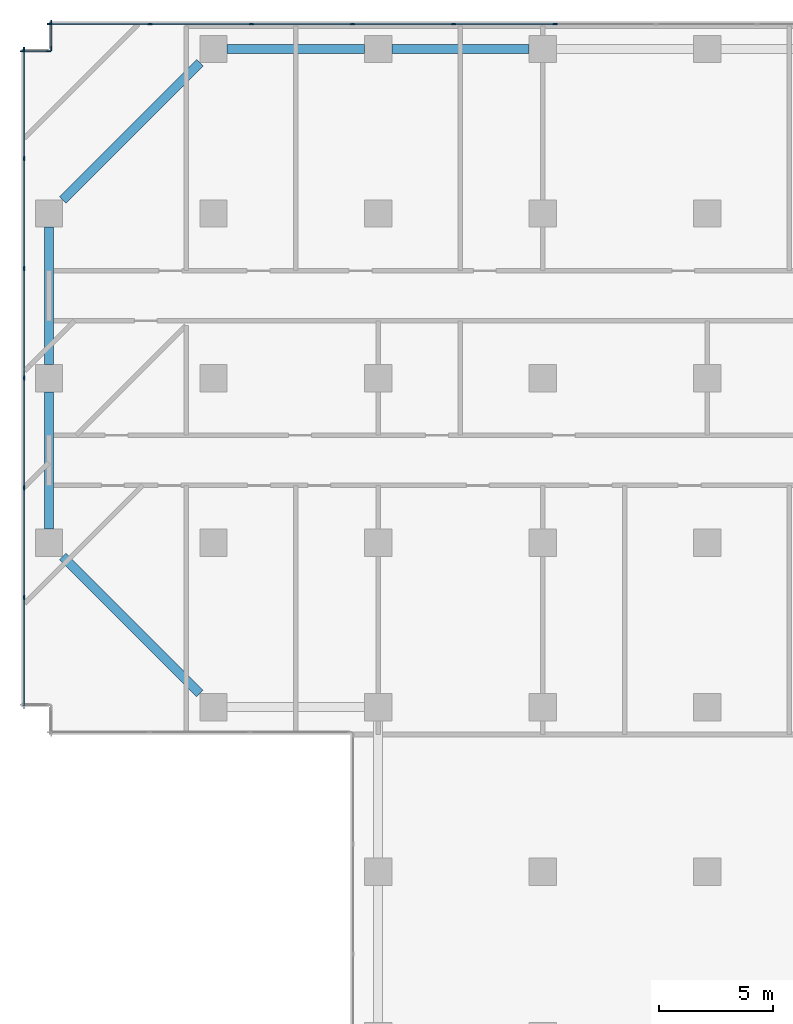
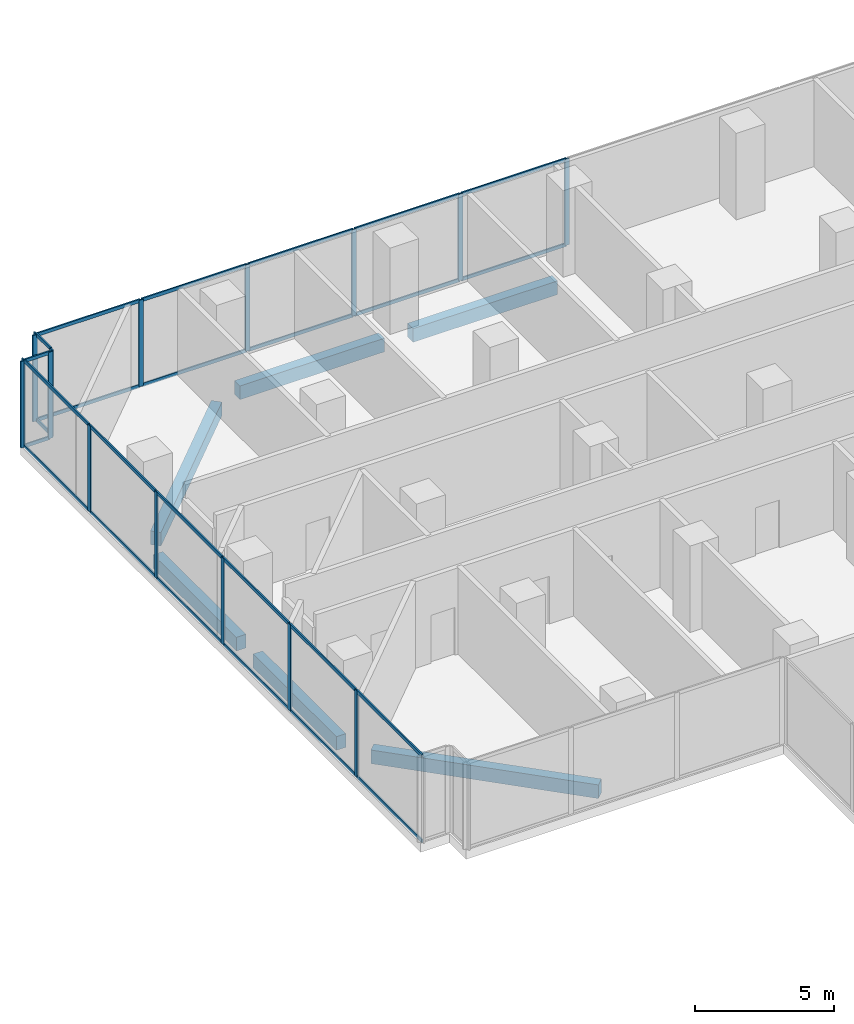
# One storey, part 5 of 27: 42 members, 6 beams, 4 elements without a shape of their own.
"""IFC4 building model written with IfcOpenShell, lengths in metres."""

from ifc_helpers import new_model, si_unit, direction, frame, origin, origin_2d, place, context, subcontext, project, spatial, rectangle, extrude, material, material_profile, profile_set, type_object, element, aggregate, save


model = new_model("IFC4")

# Units and contexts
model_context = context("Model", 3, precision=1e-05, world=origin(), true_north=direction((0.0, 1.0)))
body_context = subcontext(model_context, "Body", "Model", "MODEL_VIEW")
ifc_project = project(units=[si_unit("LENGTHUNIT", "METRE"), si_unit("AREAUNIT", "SQUARE_METRE"), si_unit("VOLUMEUNIT", "CUBIC_METRE"), si_unit("PLANEANGLEUNIT", "RADIAN"), si_unit("MASSUNIT", "GRAM", prefix="KILO")], contexts=[model_context])

# Site, building, storey
site_placement = place(None, origin())
site = spatial("IfcSite", under=ifc_project, at=site_placement, CompositionType="ELEMENT")
building_placement = place(site_placement, origin())
building = spatial("IfcBuilding", under=site, at=building_placement, Name="Windrow Commons", CompositionType="ELEMENT")
storey_placement = place(building_placement, frame((0.0, 0.0, 6.0)))
storey = spatial("IfcBuildingStorey", under=building, at=storey_placement, Name="L01", CompositionType="ELEMENT", Elevation=6.0)

# Curtain wall, members
ifc_material_1 = material(Name="Clear laminated glass in Aluminium 6063-T6 anodised frame", Category="aluminium")
curtain_wall_type = type_object("IfcCurtainWallType", Name="Curtain wall CW1 podium study hall", PredefinedType="USERDEFINED", material=ifc_material_1)
placement = place(storey_placement, origin())
curtain_wall_1 = element("IfcCurtainWall", 1, at=placement, inside=storey, type_object=curtain_wall_type, Name="Curtain wall CW1 L01 5", ObjectType="STICK", PredefinedType="USERDEFINED")
ifc_material_2 = material(Name="Aluminium 6063-T6", Category="aluminium")
ifc_material_profile_1 = material_profile(ifc_material_2, rectangle(XDim=0.06, YDim=0.2, at=origin_2d()))
ifc_profile_set_1 = profile_set([ifc_material_profile_1], Name="Aluminium 6063-T6")
member_type_1 = type_object("IfcMemberType", Name="CW1 mullion 60x200", PredefinedType="MULLION", material=ifc_profile_set_1)
member_1_placement = place(storey_placement, frame((22.1381, 73.1, 0.0), z_axis=(0.0, 0.0, 1.0), x_axis=(0.0, -1.0, 0.0)))
member_1 = element("IfcMember", 2, at=member_1_placement, type_object=member_type_1, Name="CW1 mullion 14", PredefinedType="MULLION", context=body_context, shape_type="SweptSolid", body=[
    extrude(rectangle(XDim=0.06, YDim=0.2, at=origin_2d()), origin(), (0.0, 0.0, 1.0), 3.8),
])
member_2_placement = place(storey_placement, frame((17.7105, 73.1, 0.0), z_axis=(0.0, 0.0, 1.0), x_axis=(0.0, -1.0, 0.0)))
member_2 = element("IfcMember", 3, at=member_2_placement, type_object=member_type_1, Name="CW1 mullion 15", PredefinedType="MULLION", context=body_context, shape_type="SweptSolid", body=[
    extrude(rectangle(XDim=0.06, YDim=0.2, at=origin_2d()), origin(), (0.0, 0.0, 1.0), 3.8),
])
member_3_placement = place(storey_placement, frame((13.2828, 73.1, 0.0), z_axis=(0.0, 0.0, 1.0), x_axis=(0.0, -1.0, 0.0)))
member_3 = element("IfcMember", 4, at=member_3_placement, type_object=member_type_1, Name="CW1 mullion 16", PredefinedType="MULLION", context=body_context, shape_type="SweptSolid", body=[
    extrude(rectangle(XDim=0.06, YDim=0.2, at=origin_2d()), origin(), (0.0, 0.0, 1.0), 3.8),
])
member_4_placement = place(storey_placement, frame((8.8552, 73.1, 0.0), z_axis=(0.0, 0.0, 1.0), x_axis=(0.0, -1.0, 0.0)))
member_4 = element("IfcMember", 5, at=member_4_placement, type_object=member_type_1, Name="CW1 mullion 17", PredefinedType="MULLION", context=body_context, shape_type="SweptSolid", body=[
    extrude(rectangle(XDim=0.06, YDim=0.2, at=origin_2d()), origin(), (0.0, 0.0, 1.0), 3.8),
])
member_5_placement = place(storey_placement, frame((4.4276, 73.1, 0.0), z_axis=(0.0, 0.0, 1.0), x_axis=(0.0, -1.0, 0.0)))
member_5 = element("IfcMember", 6, at=member_5_placement, type_object=member_type_1, Name="CW1 mullion 18", PredefinedType="MULLION", context=body_context, shape_type="SweptSolid", body=[
    extrude(rectangle(XDim=0.06, YDim=0.2, at=origin_2d()), origin(), (0.0, 0.0, 1.0), 3.8),
])
member_6_placement = place(storey_placement, frame((0.03, 73.1, 0.0), z_axis=(0.0, 0.0, 1.0), x_axis=(0.0, -1.0, 0.0)))
member_6 = element("IfcMember", 7, at=member_6_placement, type_object=member_type_1, Name="CW1 mullion 19", PredefinedType="MULLION", context=body_context, shape_type="SweptSolid", body=[
    extrude(rectangle(XDim=0.06, YDim=0.2, at=origin_2d()), origin(), (0.0, 0.0, 1.0), 3.8),
])

curtain_wall_2 = element("IfcCurtainWall", 8, at=placement, inside=storey, type_object=curtain_wall_type, Name="Curtain wall CW1 L01 6", ObjectType="STICK", PredefinedType="USERDEFINED")
member_7_placement = place(storey_placement, frame((0.1, 73.17, 0.0), z_axis=(0.0, 0.0, 1.0), x_axis=(1.0, 0.0, 0.0)))
member_7 = element("IfcMember", 9, at=member_7_placement, type_object=member_type_1, Name="CW1 mullion 1", PredefinedType="MULLION", context=body_context, shape_type="SweptSolid", body=[
    extrude(rectangle(XDim=0.06, YDim=0.2, at=origin_2d()), origin(), (0.0, 0.0, 1.0), 3.8),
])
member_8_placement = place(storey_placement, frame((0.1, 72.03, 0.0), z_axis=(0.0, 0.0, 1.0), x_axis=(1.0, 0.0, 0.0)))
member_8 = element("IfcMember", 10, at=member_8_placement, type_object=member_type_1, Name="CW1 mullion 2", PredefinedType="MULLION", context=body_context, shape_type="SweptSolid", body=[
    extrude(rectangle(XDim=0.06, YDim=0.2, at=origin_2d()), origin(), (0.0, 0.0, 1.0), 3.8),
])

curtain_wall_3 = element("IfcCurtainWall", 11, at=placement, inside=storey, type_object=curtain_wall_type, Name="Curtain wall CW1 L01 7", ObjectType="STICK", PredefinedType="USERDEFINED")
member_9_placement = place(storey_placement, frame((-0.03, 71.9, 0.0), z_axis=(0.0, 0.0, 1.0), x_axis=(0.0, -1.0, 0.0)))
member_9 = element("IfcMember", 12, at=member_9_placement, type_object=member_type_1, Name="CW1 mullion 1", PredefinedType="MULLION", context=body_context, shape_type="SweptSolid", body=[
    extrude(rectangle(XDim=0.06, YDim=0.2, at=origin_2d()), origin(), (0.0, 0.0, 1.0), 3.8),
])
member_10_placement = place(storey_placement, frame((-1.17, 71.9, 0.0), z_axis=(0.0, 0.0, 1.0), x_axis=(0.0, -1.0, 0.0)))
member_10 = element("IfcMember", 13, at=member_10_placement, type_object=member_type_1, Name="CW1 mullion 2", PredefinedType="MULLION", context=body_context, shape_type="SweptSolid", body=[
    extrude(rectangle(XDim=0.06, YDim=0.2, at=origin_2d()), origin(), (0.0, 0.0, 1.0), 3.8),
])

curtain_wall_4 = element("IfcCurtainWall", 14, at=placement, inside=storey, type_object=curtain_wall_type, Name="Curtain wall CW1 L01 8", ObjectType="STICK", PredefinedType="USERDEFINED")
member_11_placement = place(storey_placement, frame((-1.1, 71.97, 0.0), z_axis=(0.0, 0.0, 1.0), x_axis=(1.0, 0.0, 0.0)))
member_11 = element("IfcMember", 15, at=member_11_placement, type_object=member_type_1, Name="CW1 mullion 1", PredefinedType="MULLION", context=body_context, shape_type="SweptSolid", body=[
    extrude(rectangle(XDim=0.06, YDim=0.2, at=origin_2d()), origin(), (0.0, 0.0, 1.0), 3.8),
])
member_12_placement = place(storey_placement, frame((-1.1, 67.2, 0.0), z_axis=(0.0, 0.0, 1.0), x_axis=(1.0, 0.0, 0.0)))
member_12 = element("IfcMember", 16, at=member_12_placement, type_object=member_type_1, Name="CW1 mullion 2", PredefinedType="MULLION", context=body_context, shape_type="SweptSolid", body=[
    extrude(rectangle(XDim=0.06, YDim=0.2, at=origin_2d()), origin(), (0.0, 0.0, 1.0), 3.8),
])
member_13_placement = place(storey_placement, frame((-1.1, 62.4, 0.0), z_axis=(0.0, 0.0, 1.0), x_axis=(1.0, 0.0, 0.0)))
member_13 = element("IfcMember", 17, at=member_13_placement, type_object=member_type_1, Name="CW1 mullion 3", PredefinedType="MULLION", context=body_context, shape_type="SweptSolid", body=[
    extrude(rectangle(XDim=0.06, YDim=0.2, at=origin_2d()), origin(), (0.0, 0.0, 1.0), 3.8),
])
member_14_placement = place(storey_placement, frame((-1.1, 57.6, 0.0), z_axis=(0.0, 0.0, 1.0), x_axis=(1.0, 0.0, 0.0)))
member_14 = element("IfcMember", 18, at=member_14_placement, type_object=member_type_1, Name="CW1 mullion 4", PredefinedType="MULLION", context=body_context, shape_type="SweptSolid", body=[
    extrude(rectangle(XDim=0.06, YDim=0.2, at=origin_2d()), origin(), (0.0, 0.0, 1.0), 3.8),
])
member_15_placement = place(storey_placement, frame((-1.1, 52.8, 0.0), z_axis=(0.0, 0.0, 1.0), x_axis=(1.0, 0.0, 0.0)))
member_15 = element("IfcMember", 19, at=member_15_placement, type_object=member_type_1, Name="CW1 mullion 5", PredefinedType="MULLION", context=body_context, shape_type="SweptSolid", body=[
    extrude(rectangle(XDim=0.06, YDim=0.2, at=origin_2d()), origin(), (0.0, 0.0, 1.0), 3.8),
])
member_16_placement = place(storey_placement, frame((-1.1, 48.0, 0.0), z_axis=(0.0, 0.0, 1.0), x_axis=(1.0, 0.0, 0.0)))
member_16 = element("IfcMember", 20, at=member_16_placement, type_object=member_type_1, Name="CW1 mullion 6", PredefinedType="MULLION", context=body_context, shape_type="SweptSolid", body=[
    extrude(rectangle(XDim=0.06, YDim=0.2, at=origin_2d()), origin(), (0.0, 0.0, 1.0), 3.8),
])

# Member
ifc_material_3 = material(Name="Aluminium 6063-T6", Category="aluminium")
ifc_material_profile_2 = material_profile(ifc_material_3, rectangle(XDim=0.06, YDim=0.15, at=origin_2d()))
ifc_profile_set_2 = profile_set([ifc_material_profile_2], Name="Aluminium 6063-T6")
member_type_2 = type_object("IfcMemberType", Name="CW1 transom 60x150", PredefinedType="USERDEFINED", material=ifc_profile_set_2)
member_17_placement = place(storey_placement, frame((22.1081, 73.1, 0.03), z_axis=(-1.0, 0.0, 0.0), x_axis=(0.0, -1.0, 0.0)))
member_17 = element("IfcMember", 21, at=member_17_placement, type_object=member_type_2, Name="CW1 transom 14.1", ObjectType="TRANSOM", PredefinedType="USERDEFINED", context=body_context, shape_type="SweptSolid", body=[
    extrude(rectangle(XDim=0.06, YDim=0.15, at=origin_2d()), origin(), (0.0, 0.0, 1.0), 4.3676),
])

member_18_placement = place(storey_placement, frame((22.1081, 73.1, 3.77), z_axis=(-1.0, 0.0, 0.0), x_axis=(0.0, -1.0, 0.0)))
member_18 = element("IfcMember", 22, at=member_18_placement, type_object=member_type_2, Name="CW1 transom 14.2", ObjectType="TRANSOM", PredefinedType="USERDEFINED", context=body_context, shape_type="SweptSolid", body=[
    extrude(rectangle(XDim=0.06, YDim=0.15, at=origin_2d()), origin(), (0.0, 0.0, 1.0), 4.3676),
])

member_19_placement = place(storey_placement, frame((17.6805, 73.1, 0.03), z_axis=(-1.0, 0.0, 0.0), x_axis=(0.0, -1.0, 0.0)))
member_19 = element("IfcMember", 23, at=member_19_placement, type_object=member_type_2, Name="CW1 transom 15.1", ObjectType="TRANSOM", PredefinedType="USERDEFINED", context=body_context, shape_type="SweptSolid", body=[
    extrude(rectangle(XDim=0.06, YDim=0.15, at=origin_2d()), origin(), (0.0, 0.0, 1.0), 4.3677),
])

member_20_placement = place(storey_placement, frame((17.6805, 73.1, 3.77), z_axis=(-1.0, 0.0, 0.0), x_axis=(0.0, -1.0, 0.0)))
member_20 = element("IfcMember", 24, at=member_20_placement, type_object=member_type_2, Name="CW1 transom 15.2", ObjectType="TRANSOM", PredefinedType="USERDEFINED", context=body_context, shape_type="SweptSolid", body=[
    extrude(rectangle(XDim=0.06, YDim=0.15, at=origin_2d()), origin(), (0.0, 0.0, 1.0), 4.3677),
])

member_21_placement = place(storey_placement, frame((13.2529, 73.1, 0.03), z_axis=(-1.0, 0.0, 0.0), x_axis=(0.0, -1.0, 0.0)))
member_21 = element("IfcMember", 25, at=member_21_placement, type_object=member_type_2, Name="CW1 transom 16.1", ObjectType="TRANSOM", PredefinedType="USERDEFINED", context=body_context, shape_type="SweptSolid", body=[
    extrude(rectangle(XDim=0.06, YDim=0.15, at=origin_2d()), origin(), (0.0, 0.0, 1.0), 4.3677),
])

member_22_placement = place(storey_placement, frame((13.2529, 73.1, 3.77), z_axis=(-1.0, 0.0, 0.0), x_axis=(0.0, -1.0, 0.0)))
member_22 = element("IfcMember", 26, at=member_22_placement, type_object=member_type_2, Name="CW1 transom 16.2", ObjectType="TRANSOM", PredefinedType="USERDEFINED", context=body_context, shape_type="SweptSolid", body=[
    extrude(rectangle(XDim=0.06, YDim=0.15, at=origin_2d()), origin(), (0.0, 0.0, 1.0), 4.3677),
])

member_23_placement = place(storey_placement, frame((8.8252, 73.1, 0.03), z_axis=(-1.0, 0.0, 0.0), x_axis=(0.0, -1.0, 0.0)))
member_23 = element("IfcMember", 27, at=member_23_placement, type_object=member_type_2, Name="CW1 transom 17.1", ObjectType="TRANSOM", PredefinedType="USERDEFINED", context=body_context, shape_type="SweptSolid", body=[
    extrude(rectangle(XDim=0.06, YDim=0.15, at=origin_2d()), origin(), (0.0, 0.0, 1.0), 4.3676),
])

member_24_placement = place(storey_placement, frame((8.8252, 73.1, 3.77), z_axis=(-1.0, 0.0, 0.0), x_axis=(0.0, -1.0, 0.0)))
member_24 = element("IfcMember", 28, at=member_24_placement, type_object=member_type_2, Name="CW1 transom 17.2", ObjectType="TRANSOM", PredefinedType="USERDEFINED", context=body_context, shape_type="SweptSolid", body=[
    extrude(rectangle(XDim=0.06, YDim=0.15, at=origin_2d()), origin(), (0.0, 0.0, 1.0), 4.3676),
])

member_25_placement = place(storey_placement, frame((4.3976, 73.1, 0.03), z_axis=(-1.0, 0.0, 0.0), x_axis=(0.0, -1.0, 0.0)))
member_25 = element("IfcMember", 29, at=member_25_placement, type_object=member_type_2, Name="CW1 transom 18.1", ObjectType="TRANSOM", PredefinedType="USERDEFINED", context=body_context, shape_type="SweptSolid", body=[
    extrude(rectangle(XDim=0.06, YDim=0.15, at=origin_2d()), origin(), (0.0, 0.0, 1.0), 4.3376),
])

member_26_placement = place(storey_placement, frame((4.3976, 73.1, 3.77), z_axis=(-1.0, 0.0, 0.0), x_axis=(0.0, -1.0, 0.0)))
member_26 = element("IfcMember", 30, at=member_26_placement, type_object=member_type_2, Name="CW1 transom 18.2", ObjectType="TRANSOM", PredefinedType="USERDEFINED", context=body_context, shape_type="SweptSolid", body=[
    extrude(rectangle(XDim=0.06, YDim=0.15, at=origin_2d()), origin(), (0.0, 0.0, 1.0), 4.3376),
])

aggregate(curtain_wall_1, [member_1, member_2, member_3, member_4, member_5, member_6, member_17, member_18, member_19, member_20, member_21, member_22, member_23, member_24, member_25, member_26])

member_27_placement = place(storey_placement, frame((0.1, 73.14, 0.03), z_axis=(0.0, -1.0, 0.0), x_axis=(1.0, 0.0, 0.0)))
member_27 = element("IfcMember", 31, at=member_27_placement, type_object=member_type_2, Name="CW1 transom 1.1", ObjectType="TRANSOM", PredefinedType="USERDEFINED", context=body_context, shape_type="SweptSolid", body=[
    extrude(rectangle(XDim=0.06, YDim=0.15, at=origin_2d()), origin(), (0.0, 0.0, 1.0), 1.08),
])

member_28_placement = place(storey_placement, frame((0.1, 73.14, 3.77), z_axis=(0.0, -1.0, 0.0), x_axis=(1.0, 0.0, 0.0)))
member_28 = element("IfcMember", 32, at=member_28_placement, type_object=member_type_2, Name="CW1 transom 1.2", ObjectType="TRANSOM", PredefinedType="USERDEFINED", context=body_context, shape_type="SweptSolid", body=[
    extrude(rectangle(XDim=0.06, YDim=0.15, at=origin_2d()), origin(), (0.0, 0.0, 1.0), 1.08),
])

aggregate(curtain_wall_2, [member_7, member_8, member_27, member_28])

member_29_placement = place(storey_placement, frame((-0.06, 71.9, 0.03), z_axis=(-1.0, 0.0, 0.0), x_axis=(0.0, -1.0, 0.0)))
member_29 = element("IfcMember", 33, at=member_29_placement, type_object=member_type_2, Name="CW1 transom 1.1", ObjectType="TRANSOM", PredefinedType="USERDEFINED", context=body_context, shape_type="SweptSolid", body=[
    extrude(rectangle(XDim=0.06, YDim=0.15, at=origin_2d()), origin(), (0.0, 0.0, 1.0), 1.08),
])

member_30_placement = place(storey_placement, frame((-0.06, 71.9, 3.77), z_axis=(-1.0, 0.0, 0.0), x_axis=(0.0, -1.0, 0.0)))
member_30 = element("IfcMember", 34, at=member_30_placement, type_object=member_type_2, Name="CW1 transom 1.2", ObjectType="TRANSOM", PredefinedType="USERDEFINED", context=body_context, shape_type="SweptSolid", body=[
    extrude(rectangle(XDim=0.06, YDim=0.15, at=origin_2d()), origin(), (0.0, 0.0, 1.0), 1.08),
])

aggregate(curtain_wall_3, [member_9, member_10, member_29, member_30])

member_31_placement = place(storey_placement, frame((-1.1, 71.94, 0.03), z_axis=(0.0, -1.0, 0.0), x_axis=(1.0, 0.0, 0.0)))
member_31 = element("IfcMember", 35, at=member_31_placement, type_object=member_type_2, Name="CW1 transom 1.1", ObjectType="TRANSOM", PredefinedType="USERDEFINED", context=body_context, shape_type="SweptSolid", body=[
    extrude(rectangle(XDim=0.06, YDim=0.15, at=origin_2d()), origin(), (0.0, 0.0, 1.0), 4.71),
])

member_32_placement = place(storey_placement, frame((-1.1, 71.94, 3.77), z_axis=(0.0, -1.0, 0.0), x_axis=(1.0, 0.0, 0.0)))
member_32 = element("IfcMember", 36, at=member_32_placement, type_object=member_type_2, Name="CW1 transom 1.2", ObjectType="TRANSOM", PredefinedType="USERDEFINED", context=body_context, shape_type="SweptSolid", body=[
    extrude(rectangle(XDim=0.06, YDim=0.15, at=origin_2d()), origin(), (0.0, 0.0, 1.0), 4.71),
])

member_33_placement = place(storey_placement, frame((-1.1, 67.17, 0.03), z_axis=(0.0, -1.0, 0.0), x_axis=(1.0, 0.0, 0.0)))
member_33 = element("IfcMember", 37, at=member_33_placement, type_object=member_type_2, Name="CW1 transom 2.1", ObjectType="TRANSOM", PredefinedType="USERDEFINED", context=body_context, shape_type="SweptSolid", body=[
    extrude(rectangle(XDim=0.06, YDim=0.15, at=origin_2d()), origin(), (0.0, 0.0, 1.0), 4.74),
])

member_34_placement = place(storey_placement, frame((-1.1, 67.17, 3.77), z_axis=(0.0, -1.0, 0.0), x_axis=(1.0, 0.0, 0.0)))
member_34 = element("IfcMember", 38, at=member_34_placement, type_object=member_type_2, Name="CW1 transom 2.2", ObjectType="TRANSOM", PredefinedType="USERDEFINED", context=body_context, shape_type="SweptSolid", body=[
    extrude(rectangle(XDim=0.06, YDim=0.15, at=origin_2d()), origin(), (0.0, 0.0, 1.0), 4.74),
])

member_35_placement = place(storey_placement, frame((-1.1, 62.37, 0.03), z_axis=(0.0, -1.0, 0.0), x_axis=(1.0, 0.0, 0.0)))
member_35 = element("IfcMember", 39, at=member_35_placement, type_object=member_type_2, Name="CW1 transom 3.1", ObjectType="TRANSOM", PredefinedType="USERDEFINED", context=body_context, shape_type="SweptSolid", body=[
    extrude(rectangle(XDim=0.06, YDim=0.15, at=origin_2d()), origin(), (0.0, 0.0, 1.0), 4.74),
])

member_36_placement = place(storey_placement, frame((-1.1, 62.37, 3.77), z_axis=(0.0, -1.0, 0.0), x_axis=(1.0, 0.0, 0.0)))
member_36 = element("IfcMember", 40, at=member_36_placement, type_object=member_type_2, Name="CW1 transom 3.2", ObjectType="TRANSOM", PredefinedType="USERDEFINED", context=body_context, shape_type="SweptSolid", body=[
    extrude(rectangle(XDim=0.06, YDim=0.15, at=origin_2d()), origin(), (0.0, 0.0, 1.0), 4.74),
])

member_37_placement = place(storey_placement, frame((-1.1, 57.57, 0.03), z_axis=(0.0, -1.0, 0.0), x_axis=(1.0, 0.0, 0.0)))
member_37 = element("IfcMember", 41, at=member_37_placement, type_object=member_type_2, Name="CW1 transom 4.1", ObjectType="TRANSOM", PredefinedType="USERDEFINED", context=body_context, shape_type="SweptSolid", body=[
    extrude(rectangle(XDim=0.06, YDim=0.15, at=origin_2d()), origin(), (0.0, 0.0, 1.0), 4.74),
])

member_38_placement = place(storey_placement, frame((-1.1, 57.57, 3.77), z_axis=(0.0, -1.0, 0.0), x_axis=(1.0, 0.0, 0.0)))
member_38 = element("IfcMember", 42, at=member_38_placement, type_object=member_type_2, Name="CW1 transom 4.2", ObjectType="TRANSOM", PredefinedType="USERDEFINED", context=body_context, shape_type="SweptSolid", body=[
    extrude(rectangle(XDim=0.06, YDim=0.15, at=origin_2d()), origin(), (0.0, 0.0, 1.0), 4.74),
])

member_39_placement = place(storey_placement, frame((-1.1, 52.77, 0.03), z_axis=(0.0, -1.0, 0.0), x_axis=(1.0, 0.0, 0.0)))
member_39 = element("IfcMember", 43, at=member_39_placement, type_object=member_type_2, Name="CW1 transom 5.1", ObjectType="TRANSOM", PredefinedType="USERDEFINED", context=body_context, shape_type="SweptSolid", body=[
    extrude(rectangle(XDim=0.06, YDim=0.15, at=origin_2d()), origin(), (0.0, 0.0, 1.0), 4.74),
])

member_40_placement = place(storey_placement, frame((-1.1, 52.77, 3.77), z_axis=(0.0, -1.0, 0.0), x_axis=(1.0, 0.0, 0.0)))
member_40 = element("IfcMember", 44, at=member_40_placement, type_object=member_type_2, Name="CW1 transom 5.2", ObjectType="TRANSOM", PredefinedType="USERDEFINED", context=body_context, shape_type="SweptSolid", body=[
    extrude(rectangle(XDim=0.06, YDim=0.15, at=origin_2d()), origin(), (0.0, 0.0, 1.0), 4.74),
])

member_41_placement = place(storey_placement, frame((-1.1, 47.97, 0.03), z_axis=(0.0, -1.0, 0.0), x_axis=(1.0, 0.0, 0.0)))
member_41 = element("IfcMember", 45, at=member_41_placement, type_object=member_type_2, Name="CW1 transom 6.1", ObjectType="TRANSOM", PredefinedType="USERDEFINED", context=body_context, shape_type="SweptSolid", body=[
    extrude(rectangle(XDim=0.06, YDim=0.15, at=origin_2d()), origin(), (0.0, 0.0, 1.0), 4.71),
])

member_42_placement = place(storey_placement, frame((-1.1, 47.97, 3.77), z_axis=(0.0, -1.0, 0.0), x_axis=(1.0, 0.0, 0.0)))
member_42 = element("IfcMember", 46, at=member_42_placement, type_object=member_type_2, Name="CW1 transom 6.2", ObjectType="TRANSOM", PredefinedType="USERDEFINED", context=body_context, shape_type="SweptSolid", body=[
    extrude(rectangle(XDim=0.06, YDim=0.15, at=origin_2d()), origin(), (0.0, 0.0, 1.0), 4.71),
])

aggregate(curtain_wall_4, [member_11, member_12, member_13, member_14, member_15, member_16, member_31, member_32, member_33, member_34, member_35, member_36, member_37, member_38, member_39, member_40, member_41, member_42])

# Beams
ifc_material_4 = material(Name="Concrete C60/75", Category="concrete")
ifc_material_profile_3 = material_profile(ifc_material_4, rectangle(XDim=0.4, YDim=0.6, at=origin_2d()))
ifc_profile_set_3 = profile_set([ifc_material_profile_3], Name="Concrete C60/75")
beam_type = type_object("IfcBeamType", Name="RC EDGE BEAM 400x600 C60/75", PredefinedType="SPANDREL", material=ifc_profile_set_3)
beam_1_placement = place(storey_placement, frame((6.6, 43.8, -0.7), z_axis=(-0.7071067812, 0.7071067812, 0.0), x_axis=(-0.7071067812, -0.7071067812, 0.0)))
element("IfcBeam", 47, at=beam_1_placement, inside=storey, type_object=beam_type, Name="Edge beam L01 003", PredefinedType="SPANDREL", context=body_context, shape_type="SweptSolid", body=[
    extrude(rectangle(XDim=0.4, YDim=0.6, at=origin_2d()), origin(), (0.0, 0.0, 1.0), 8.4853),
])
for number, where, z_axis, x_axis, name in (
    (48, (0.0, 51.0, -0.7), (0.0, 1.0, 0.0), (-1.0, 0.0, 0.0), "Edge beam L01 004"),
    (49, (0.0, 58.2, -0.7), (0.0, 1.0, 0.0), (-1.0, 0.0, 0.0), "Edge beam L01 005"),
):
    element("IfcBeam", number, at=place(storey_placement, frame(where, z_axis=z_axis, x_axis=x_axis)), inside=storey, type_object=beam_type, Name=name, PredefinedType="SPANDREL", context=body_context, shape_type="SweptSolid", body=[
        extrude(rectangle(XDim=0.4, YDim=0.6, at=origin_2d()), origin(), (0.0, 0.0, 1.0), 6.0),
    ])
beam_2_placement = place(storey_placement, frame((0.6, 65.4, -0.7), z_axis=(0.7071067812, 0.7071067812, 0.0), x_axis=(-0.7071067812, 0.7071067812, 0.0)))
element("IfcBeam", 50, at=beam_2_placement, inside=storey, type_object=beam_type, Name="Edge beam L01 006", PredefinedType="SPANDREL", context=body_context, shape_type="SweptSolid", body=[
    extrude(rectangle(XDim=0.4, YDim=0.6, at=origin_2d()), origin(), (0.0, 0.0, 1.0), 8.4853),
])
for number, where, z_axis, x_axis, name in (
    (51, (7.8, 72.0, -0.7), (1.0, 0.0, 0.0), (0.0, 1.0, 0.0), "Edge beam L01 007"),
    (52, (15.0, 72.0, -0.7), (1.0, 0.0, 0.0), (0.0, 1.0, 0.0), "Edge beam L01 008"),
):
    element("IfcBeam", number, at=place(storey_placement, frame(where, z_axis=z_axis, x_axis=x_axis)), inside=storey, type_object=beam_type, Name=name, PredefinedType="SPANDREL", context=body_context, shape_type="SweptSolid", body=[
        extrude(rectangle(XDim=0.4, YDim=0.6, at=origin_2d()), origin(), (0.0, 0.0, 1.0), 6.0),
    ])

save(model, "model.ifc")
